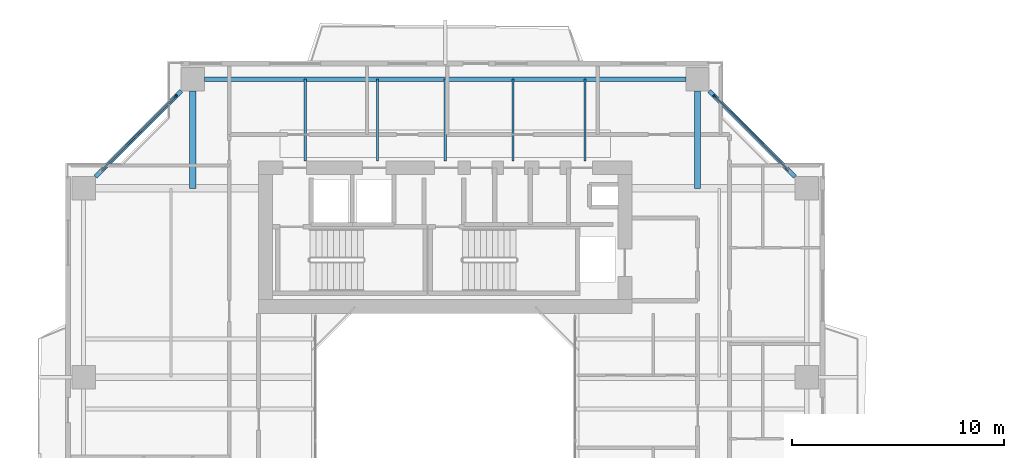
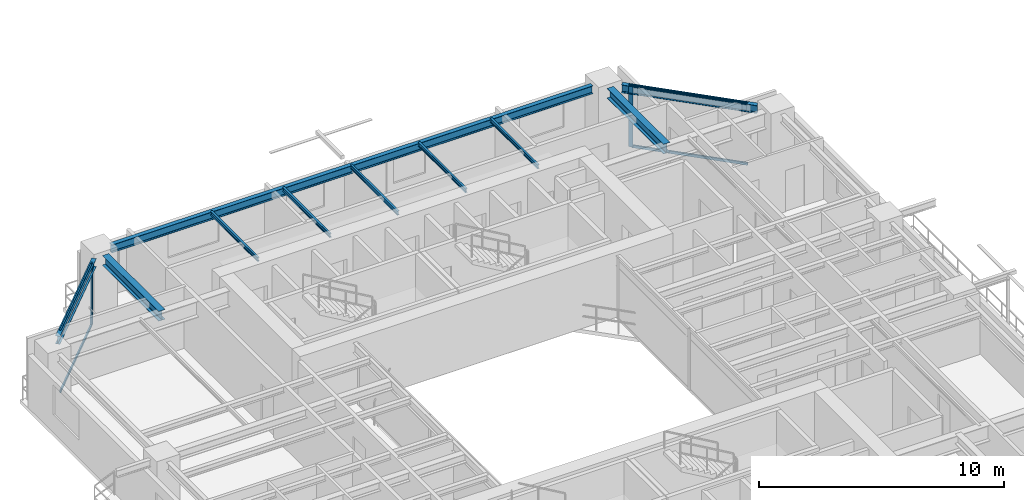
# One storey, part 9 of 23: 10 beams, 6 members, 2 elements without a shape of their own.
"""IFC4 building model written with IfcOpenShell, lengths in metres."""

import ifcopenshell
import ifcopenshell.guid

model = None  # the IFC model being written
_history = None  # IfcOwnerHistory: only IFC2X3 demands one
_inside = {}  # id of a spatial element -> (the spatial element, [elements in it])
_under = {}  # id of a project, library or spatial element -> (it, [spatial elements below it])
_declared = {}  # id of a project -> (the project, [libraries it declares])
_typed = {}  # id of a type object -> (the type object, [elements of that type])
_made_of = {}  # id of a material, layer set ... -> (it, [elements and type objects made of it])


def new_model(schema):
    """Start an empty IFC model of exactly this schema.

    Asked for "IFC4X3", IfcOpenShell would pick the latest addendum, in which some entities
    have other attributes; the version numbers below select the first issue.
    IFC2X3 requires an IfcOwnerHistory on every rooted entity: one is made here for all.
    """
    global model, _history
    if schema == "IFC4X3":
        model = ifcopenshell.file(schema_version=(4, 3, 0, 0))
    else:
        model = ifcopenshell.file(schema=schema)
    _inside.clear()
    _under.clear()
    _declared.clear()
    _typed.clear()
    _made_of.clear()
    _history = None
    if model.schema == "IFC2X3":
        org = make("IfcOrganization", Name="unknown")
        user = make(
            "IfcPersonAndOrganization",
            ThePerson=make("IfcPerson", FamilyName="unknown"),
            TheOrganization=org,
        )
        app = make(
            "IfcApplication",
            ApplicationDeveloper=org,
            Version="unknown",
            ApplicationFullName="unknown",
            ApplicationIdentifier="unknown",
        )
        _history = make(
            "IfcOwnerHistory",
            OwningUser=user,
            OwningApplication=app,
            ChangeAction="ADDED",
            CreationDate=0,
        )
    return model


def make(cls, **values):
    """One entity of the class cls with the attributes given. An attribute that is None is left unset."""
    return model.create_entity(
        cls, **{name: value for name, value in values.items() if value is not None}
    )


def rooted(cls, **values):
    """An entity with a GlobalId (a new one), such as an element, a storey or a relation."""
    return make(cls, GlobalId=ifcopenshell.guid.new(), OwnerHistory=_history, **values)


def si_unit(unit_type, name, prefix=None):
    """IfcSIUnit, for example si_unit("LENGTHUNIT", "METRE", prefix="MILLI")."""
    return make("IfcSIUnit", UnitType=unit_type, Prefix=prefix, Name=name)


def assignment(units):
    """IfcUnitAssignment: the units of a project."""
    return None if units is None else make("IfcUnitAssignment", Units=units)


def point(xyz):
    """IfcCartesianPoint."""
    return None if xyz is None else make("IfcCartesianPoint", Coordinates=xyz)


def direction(xyz):
    """IfcDirection."""
    return None if xyz is None else make("IfcDirection", DirectionRatios=xyz)


def frame(location, z_axis=None, x_axis=None):
    """IfcAxis2Placement3D, a coordinate frame: its origin and axes. An axis left out is left unset."""
    return make(
        "IfcAxis2Placement3D",
        Location=point(location),
        Axis=direction(z_axis),
        RefDirection=direction(x_axis),
    )


def frame_2d(location, x_axis=None):
    """IfcAxis2Placement2D, a coordinate frame in the plane: its origin and x axis."""
    return make(
        "IfcAxis2Placement2D", Location=point(location), RefDirection=direction(x_axis)
    )


def origin():
    """The frame at (0, 0, 0) with its axes left unset."""
    return frame((0.0, 0.0, 0.0))


def origin_2d():
    """The frame at (0, 0) in the plane with its x axis left unset."""
    return frame_2d((0.0, 0.0))


def place(relative_to, where):
    """IfcLocalPlacement: puts the frame where relative to a parent placement (None: the world)."""
    return make(
        "IfcLocalPlacement", PlacementRelTo=relative_to, RelativePlacement=where
    )


def context(
    kind, dimensions, precision=None, world=None, true_north=None, identifier=None
):
    """IfcGeometricRepresentationContext, for example the 3D "Model" context."""
    return make(
        "IfcGeometricRepresentationContext",
        ContextIdentifier=identifier,
        ContextType=kind,
        CoordinateSpaceDimension=dimensions,
        Precision=precision,
        WorldCoordinateSystem=world,
        TrueNorth=true_north,
    )


def subcontext(parent, identifier, kind, view, scale=None):
    """IfcGeometricRepresentationSubContext, for example "Body" below "Model"."""
    return make(
        "IfcGeometricRepresentationSubContext",
        ContextIdentifier=identifier,
        ContextType=kind,
        ParentContext=parent,
        TargetScale=scale,
        TargetView=view,
    )


def project(units=None, contexts=None):
    """IfcProject with its units and contexts."""
    return rooted(
        "IfcProject",
        Name="project",
        RepresentationContexts=contexts,
        UnitsInContext=assignment(units),
    )


def spatial(cls, under=None, at=None, **own):
    """A site, building, storey or space (cls), placed at a placement, below another one or the project."""
    s = rooted(cls, ObjectPlacement=at, **own)
    if under is not None:
        _under.setdefault(under.id(), (under, []))[1].append(s)
    return s


def profile(cls, at=None, kind="AREA", **sizes):
    """A parametric profile (cls). Its sizes go by their IFC names, for example OverallWidth=200.0."""
    return make(cls, ProfileType=kind, Position=at, **sizes)


def rectangle(**sizes):
    """IfcRectangleProfileDef."""
    return profile("IfcRectangleProfileDef", **sizes)


def i_section(**sizes):
    """IfcIShapeProfileDef."""
    return profile("IfcIShapeProfileDef", **sizes)


def extrude(swept, where, along, depth):
    """IfcExtrudedAreaSolid: the profile swept, set in the frame where, extruded along a direction by depth."""
    return make(
        "IfcExtrudedAreaSolid",
        SweptArea=swept,
        Position=where,
        ExtrudedDirection=direction(along),
        Depth=depth,
    )


def shape(context_of_items, identifier, shape_type, items):
    """IfcShapeRepresentation: the items that make up one representation, for example the "Body"."""
    return make(
        "IfcShapeRepresentation",
        ContextOfItems=context_of_items,
        RepresentationIdentifier=identifier,
        RepresentationType=shape_type,
        Items=items,
    )


def source(mapping_origin, context_of_items, identifier, shape_type, items):
    """IfcRepresentationMap: a shape defined once, which mapped items show again and again."""
    return make(
        "IfcRepresentationMap",
        MappingOrigin=mapping_origin,
        MappedRepresentation=shape(context_of_items, identifier, shape_type, items),
    )


def transform(
    local_origin,
    x_axis=None,
    y_axis=None,
    z_axis=None,
    scale=None,
    scale2=None,
    scale3=None,
    uniform=True,
):
    """IfcCartesianTransformationOperator3D, or its non-uniform kind. x_axis, y_axis, z_axis: its Axis1, 2, 3."""
    if uniform:
        return make(
            "IfcCartesianTransformationOperator3D",
            Axis1=direction(x_axis),
            Axis2=direction(y_axis),
            LocalOrigin=point(local_origin),
            Scale=scale,
            Axis3=direction(z_axis),
        )
    return make(
        "IfcCartesianTransformationOperator3DnonUniform",
        Axis1=direction(x_axis),
        Axis2=direction(y_axis),
        LocalOrigin=point(local_origin),
        Scale=scale,
        Axis3=direction(z_axis),
        Scale2=scale2,
        Scale3=scale3,
    )


def mapped(mapping_source, mapping_target):
    """IfcMappedItem: shows the shape of a source again, moved by a transform."""
    return make(
        "IfcMappedItem", MappingSource=mapping_source, MappingTarget=mapping_target
    )


def material(Name=None, Category=None):
    """IfcMaterial."""
    return make("IfcMaterial", Name=Name, Category=Category)


def layer(
    of_material, thickness, ventilated=None, Name=None, Category=None, Priority=None
):
    """IfcMaterialLayer: one layer of a wall or slab, of a material (None: an air gap)."""
    return make(
        "IfcMaterialLayer",
        Material=of_material,
        LayerThickness=thickness,
        IsVentilated=ventilated,
        Name=Name,
        Category=Category,
        Priority=Priority,
    )


def layer_set(layers, Name=None):
    """IfcMaterialLayerSet."""
    return make("IfcMaterialLayerSet", MaterialLayers=layers, LayerSetName=Name)


def material_profile(
    of_material, cross_section, Name=None, Category=None, Priority=None
):
    """IfcMaterialProfile: a cross section and its material."""
    return make(
        "IfcMaterialProfile",
        Name=Name,
        Material=of_material,
        Profile=cross_section,
        Priority=Priority,
        Category=Category,
    )


def profile_set(profiles, Name=None, composite=None):
    """IfcMaterialProfileSet."""
    return make(
        "IfcMaterialProfileSet",
        Name=Name,
        MaterialProfiles=profiles,
        CompositeProfile=composite,
    )


def made_of(thing, what):
    """Note that an element or type object is made of a material, layer set ...; save() writes the relation."""
    if what is not None:
        _made_of.setdefault(what.id(), (what, []))[1].append(thing)
    return thing


def type_object(cls, material=None, **own):
    """A type object (cls), such as IfcWallType, which elements share."""
    return made_of(rooted(cls, **own), material)


def element(
    cls,
    number,
    at=None,
    inside=None,
    cuts=None,
    type_object=None,
    material=None,
    context=None,
    identifier="Body",
    shape_type=None,
    held_by="IfcProductDefinitionShape",
    body=None,
    shapes=None,
    **own,
):
    """One element of the class cls, such as IfcWall. Its Tag is "e" and its number.

    at: its placement. inside: the storey or other place that contains it. cuts: it is an
    opening in that element (IfcRelVoidsElement). A single representation is given by context,
    identifier, shape_type and body (its items); several are given by shapes. held_by: the class
    of the entity that holds the representations. save() writes the other relations.
    """
    e = rooted(cls, Tag="e%d" % number, ObjectPlacement=at, **own)
    if body is not None:
        shapes = [shape(context, identifier, shape_type, body)]
    if shapes is not None:
        e.Representation = make(held_by, Representations=shapes)
    if inside is not None:
        _inside.setdefault(inside.id(), (inside, []))[1].append(e)
    if cuts is not None:
        rooted(
            "IfcRelVoidsElement", RelatingBuildingElement=cuts, RelatedOpeningElement=e
        )
    if type_object is not None:
        _typed.setdefault(type_object.id(), (type_object, []))[1].append(e)
    return made_of(e, material)


def aggregate(whole, parts):
    """IfcRelAggregates: a whole, such as a stair, and the parts it consists of."""
    return rooted("IfcRelAggregates", RelatingObject=whole, RelatedObjects=parts)


def save(model, path):
    """Write the relations noted so far, then the file.

    IfcRelAggregates (storeys below a building ...), IfcRelContainedInSpatialStructure (elements
    in a storey), IfcRelDefinesByType, IfcRelAssociatesMaterial and IfcRelDeclares: one each for
    every whole, place, type object, material and project.
    """
    for whole, parts in _under.values():
        aggregate(whole, parts)
    for where, things in _inside.values():
        rooted(
            "IfcRelContainedInSpatialStructure",
            RelatedElements=things,
            RelatingStructure=where,
        )
    for kind, things in _typed.values():
        rooted("IfcRelDefinesByType", RelatedObjects=things, RelatingType=kind)
    for what, things in _made_of.values():
        rooted("IfcRelAssociatesMaterial", RelatedObjects=things, RelatingMaterial=what)
    for by, libraries in _declared.values():
        rooted("IfcRelDeclares", RelatingContext=by, RelatedDefinitions=libraries)
    model.write(path)


model = new_model("IFC4")

# Units and contexts
model_context = context("Model", 3, precision=1e-05, world=origin(), true_north=direction((0.0, 1.0)))
body_context = subcontext(model_context, "Body", "Model", "MODEL_VIEW")
ifc_project = project(units=[si_unit("LENGTHUNIT", "METRE"), si_unit("AREAUNIT", "SQUARE_METRE"), si_unit("VOLUMEUNIT", "CUBIC_METRE"), si_unit("PLANEANGLEUNIT", "RADIAN"), si_unit("MASSUNIT", "GRAM", prefix="KILO"), si_unit("THERMODYNAMICTEMPERATUREUNIT", "KELVIN"), si_unit("POWERUNIT", "WATT")], contexts=[model_context])

# Site, building, storey
site_placement = place(None, origin())
site = spatial("IfcSite", under=ifc_project, at=site_placement, CompositionType="ELEMENT")
building_placement = place(site_placement, origin())
building = spatial("IfcBuilding", under=site, at=building_placement, Name="Qiaomeng Ring Towers", CompositionType="ELEMENT")
storey_placement = place(building_placement, frame((0.0, 0.0, 103.5)))
storey = spatial("IfcBuildingStorey", under=building, at=storey_placement, Name="L29", CompositionType="ELEMENT", Elevation=103.5)

# Beams
ifc_material_1 = material(Name="Steel Q355B", Category="steel")
ifc_material_profile_1 = material_profile(ifc_material_1, i_section(OverallWidth=0.199951171875, OverallDepth=0.39990234375, WebThickness=0.008056640625, FlangeThickness=0.012939453125, FilletRadius=0.01611328125, at=origin_2d()), Name="HN 400x200x8x13")
ifc_profile_set_1 = profile_set([ifc_material_profile_1], Name="Steel Q355B")
beam_type_1 = type_object("IfcBeamType", Name="STR-BM-HN400", PredefinedType="SPANDREL", material=ifc_profile_set_1)
shared_shape_1 = source(origin(), body_context, "Body", "SweptSolid", [
    extrude(i_section(OverallWidth=0.199951171875, OverallDepth=0.39990234375, WebThickness=0.008056640625, FlangeThickness=0.012939453125, FilletRadius=0.01611328125, at=origin_2d()), origin(), (0.0, 0.0, 1.0), 22.7021484375),
])
beam_placement = place(storey_placement, frame((30.35107421875, 40.050048828125, 2.8701171875), z_axis=(-1.0, 0.0, 0.0), x_axis=(0.0, -1.0, 0.0)))
element("IfcBeam", 1, at=beam_placement, inside=storey, type_object=beam_type_1, Name="L29 beam STR-SP-L29-T1-N2-N1", PredefinedType="SPANDREL", context=body_context, shape_type="MappedRepresentation", body=[
    mapped(shared_shape_1, transform((0.0, 0.0, 0.0), x_axis=(1.0, 0.0, 0.0), y_axis=(0.0, 1.0, 0.0), z_axis=(0.0, 0.0, 1.0), scale=1.0)),
])
shared_shape_2 = source(origin(), body_context, "Body", "SweptSolid", [
    extrude(i_section(OverallWidth=0.199951171875, OverallDepth=0.39990234375, WebThickness=0.008056640625, FlangeThickness=0.012939453125, FilletRadius=0.01611328125, at=origin_2d()), origin(), (0.0, 0.0, 1.0), 5.729736328125),
])
for number, where, z_axis, x_axis, name in (
    (2, (35.500732421875, 35.44921875, 2.8701171875), (-0.707106781187, 0.707106781187, 0.0), (-0.707106781187, -0.707106781187, 0.0), "L29 beam STR-SP-L29-T1-E4-N2"),
    (3, (6.55078125, 39.500732421875, 2.8701171875), (-0.707106781187, -0.707106781187, 0.0), (0.707106781187, -0.707106781187, 0.0), "L29 beam STR-SP-L29-T1-N1-W4"),
):
    element("IfcBeam", number, at=place(storey_placement, frame(where, z_axis=z_axis, x_axis=x_axis)), inside=storey, type_object=beam_type_1, Name=name, PredefinedType="SPANDREL", context=body_context, shape_type="MappedRepresentation", body=[
        mapped(shared_shape_2, transform((0.0, 0.0, 0.0), x_axis=(1.0, 0.0, 0.0), y_axis=(0.0, 1.0, 0.0), z_axis=(0.0, 0.0, 1.0), scale=1.0)),
    ])
ifc_material_profile_2 = material_profile(ifc_material_1, i_section(OverallWidth=0.300048828125, OverallDepth=0.488037109375, WebThickness=0.010986328125, FlangeThickness=0.01806640625, FilletRadius=0.02587890625, at=origin_2d()), Name="HM 488x300x11x18")
ifc_profile_set_2 = profile_set([ifc_material_profile_2], Name="Steel Q355B")
beam_type_2 = type_object("IfcBeamType", Name="STR-BM-HM488", PredefinedType="BEAM", material=ifc_profile_set_2)
shared_shape_3 = source(origin(), body_context, "Body", "SweptSolid", [
    extrude(i_section(OverallWidth=0.300048828125, OverallDepth=0.488037109375, WebThickness=0.010986328125, FlangeThickness=0.01806640625, FilletRadius=0.02587890625, at=origin_2d()), origin(), (0.0, 0.0, 1.0), 4.60107421875),
])
for number, where, z_axis, x_axis, name in (
    (4, (7.10009765625, 39.5009765625, 2.825927734375), (0.0, -1.0, 0.0), (1.0, 0.0, 0.0), "L29 beam STR-BM-L29-T1-RAD-N1"),
    (5, (30.89990234375, 39.5009765625, 2.825927734375), (0.0, -1.0, 0.0), (1.0, 0.0, 0.0), "L29 beam STR-BM-L29-T1-RAD-N2"),
):
    element("IfcBeam", number, at=place(storey_placement, frame(where, z_axis=z_axis, x_axis=x_axis)), inside=storey, type_object=beam_type_2, Name=name, PredefinedType="BEAM", context=body_context, shape_type="MappedRepresentation", body=[
        mapped(shared_shape_3, transform((0.0, 0.0, 0.0), x_axis=(1.0, 0.0, 0.0), y_axis=(0.0, 1.0, 0.0), z_axis=(0.0, 0.0, 1.0), scale=1.0)),
    ])
ifc_material_profile_3 = material_profile(ifc_material_1, i_section(OverallWidth=0.10009765625, OverallDepth=0.199951171875, WebThickness=0.005615234375, FlangeThickness=0.008056640625, FilletRadius=0.010986328125, at=origin_2d()), Name="HN 200x100x5.5x8")
ifc_profile_set_3 = profile_set([ifc_material_profile_3], Name="Steel Q355B")
beam_type_3 = type_object("IfcBeamType", Name="STR-BM-HN200", PredefinedType="JOIST", material=ifc_profile_set_3)
shared_shape_4 = source(origin(), body_context, "Body", "SweptSolid", [
    extrude(i_section(OverallWidth=0.10009765625, OverallDepth=0.199951171875, WebThickness=0.005615234375, FlangeThickness=0.008056640625, FilletRadius=0.010986328125, at=origin_2d()), origin(), (0.0, 0.0, 1.0), 3.85009765625),
])
for number, where, z_axis, x_axis, name in (
    (6, (12.39990234375, 36.199951171875, 2.969970703125), (0.0, 1.0, 0.0), (-1.0, 0.0, 0.0), "L29 beam STR-JST-L29-T1N-1"),
    (7, (15.800048828125, 36.199951171875, 2.969970703125), (0.0, 1.0, 0.0), (-1.0, 0.0, 0.0), "L29 beam STR-JST-L29-T1N-2"),
    (8, (19.0, 36.199951171875, 2.969970703125), (0.0, 1.0, 0.0), (-1.0, 0.0, 0.0), "L29 beam STR-JST-L29-T1N-3"),
    (9, (22.199951171875, 36.199951171875, 2.969970703125), (0.0, 1.0, 0.0), (-1.0, 0.0, 0.0), "L29 beam STR-JST-L29-T1N-4"),
    (10, (25.60009765625, 36.199951171875, 2.969970703125), (0.0, 1.0, 0.0), (-1.0, 0.0, 0.0), "L29 beam STR-JST-L29-T1N-5"),
):
    element("IfcBeam", number, at=place(storey_placement, frame(where, z_axis=z_axis, x_axis=x_axis)), inside=storey, type_object=beam_type_3, Name=name, PredefinedType="JOIST", context=body_context, shape_type="MappedRepresentation", body=[
        mapped(shared_shape_4, transform((0.0, 0.0, 0.0), x_axis=(1.0, 0.0, 0.0), y_axis=(0.0, 1.0, 0.0), z_axis=(0.0, 0.0, 1.0), scale=1.0)),
    ])

# Curtain wall, member
ifc_material_2 = material(Name="Fluorocarbon dark-grey aluminium", Category="aluminium")
ifc_layer = layer(ifc_material_2, 0.14990234375, Name="Fluorocarbon dark-grey aluminium")
ifc_layer_set = layer_set([ifc_layer], Name="Fluorocarbon dark-grey aluminium")
curtain_wall_type = type_object("IfcCurtainWallType", Name="ARC-CW-3", PredefinedType="NOTDEFINED", material=ifc_layer_set)
curtain_wall_1_placement = place(storey_placement, origin())
curtain_wall_1 = element("IfcCurtainWall", 11, at=curtain_wall_1_placement, inside=storey, type_object=curtain_wall_type, Name="L29 Curtain Wall CW3", PredefinedType="NOTDEFINED")
ifc_material_profile_4 = material_profile(ifc_material_2, rectangle(XDim=0.070068359375, YDim=0.179931640625, at=origin_2d()), Name="ALU MULL 70x180")
ifc_profile_set_4 = profile_set([ifc_material_profile_4], Name="Fluorocarbon dark-grey aluminium")
member_type_1 = type_object("IfcMemberType", Name="ARC-CWM-160", PredefinedType="MULLION", material=ifc_profile_set_4)
shared_shape_5 = source(origin(), body_context, "Body", "SweptSolid", [
    extrude(rectangle(XDim=0.070068359375, YDim=0.179931640625, at=origin_2d()), origin(), (0.0, 0.0, 1.0), 3.070068359375),
])
member_1_placement = place(storey_placement, frame((31.71484375, 39.2353515625, 0.0), z_axis=(0.0, 0.0, 1.0), x_axis=(-0.707106781187, -0.707106781187, 0.0)))
member_1 = element("IfcMember", 12, at=member_1_placement, type_object=member_type_1, Name="CW3 mullion 2", PredefinedType="MULLION", context=body_context, shape_type="MappedRepresentation", body=[
    mapped(shared_shape_5, transform((0.0, 0.0, 0.0), x_axis=(1.0, 0.0, 0.0), y_axis=(0.0, 1.0, 0.0), z_axis=(0.0, 0.0, 1.0), scale=1.0)),
])

curtain_wall_2_placement = place(storey_placement, origin())
curtain_wall_2 = element("IfcCurtainWall", 13, at=curtain_wall_2_placement, inside=storey, type_object=curtain_wall_type, Name="L29 Curtain Wall CW3", PredefinedType="NOTDEFINED")
member_2_placement = place(storey_placement, frame((6.28515625, 39.2353515625, 0.0), z_axis=(0.0, 0.0, 1.0), x_axis=(0.707106781187, -0.707106781187, 0.0)))
member_2 = element("IfcMember", 14, at=member_2_placement, type_object=member_type_1, Name="CW3 mullion 1", PredefinedType="MULLION", context=body_context, shape_type="MappedRepresentation", body=[
    mapped(shared_shape_5, transform((0.0, 0.0, 0.0), x_axis=(1.0, 0.0, 0.0), y_axis=(0.0, 1.0, 0.0), z_axis=(0.0, 0.0, 1.0), scale=1.0)),
])

# Member
ifc_material_profile_5 = material_profile(ifc_material_2, rectangle(XDim=0.06494140625, YDim=0.1298828125, at=origin_2d()), Name="ALU TRAN 65x130")
ifc_profile_set_5 = profile_set([ifc_material_profile_5], Name="Fluorocarbon dark-grey aluminium")
member_type_2 = type_object("IfcMemberType", Name="ARC-CWT-120", PredefinedType="USERDEFINED", material=ifc_profile_set_5)
shared_shape_6 = source(origin(), body_context, "Body", "SweptSolid", [
    extrude(rectangle(XDim=0.06494140625, YDim=0.1298828125, at=origin_2d()), origin(), (0.0, 0.0, 1.0), 4.90869140625),
])
member_3_placement = place(storey_placement, frame((35.21044921875, 35.739501953125, 0.032470703125), z_axis=(-0.707106781187, 0.707106781187, 0.0), x_axis=(-0.707106781187, -0.707106781187, 0.0)))
member_3 = element("IfcMember", 15, at=member_3_placement, type_object=member_type_2, Name="CW3 transom 1.1", ObjectType="TRANSOM", PredefinedType="USERDEFINED", context=body_context, shape_type="MappedRepresentation", body=[
    mapped(shared_shape_6, transform((0.0, 0.0, 0.0), x_axis=(1.0, 0.0, 0.0), y_axis=(0.0, 1.0, 0.0), z_axis=(0.0, 0.0, 1.0), scale=1.0)),
])

member_4_placement = place(storey_placement, frame((35.21044921875, 35.739501953125, 3.03759765625), z_axis=(-0.707106781187, 0.707106781187, 0.0), x_axis=(-0.707106781187, -0.707106781187, 0.0)))
member_4 = element("IfcMember", 16, at=member_4_placement, type_object=member_type_2, Name="CW3 transom 1.2", ObjectType="TRANSOM", PredefinedType="USERDEFINED", context=body_context, shape_type="MappedRepresentation", body=[
    mapped(shared_shape_6, transform((0.0, 0.0, 0.0), x_axis=(1.0, 0.0, 0.0), y_axis=(0.0, 1.0, 0.0), z_axis=(0.0, 0.0, 1.0), scale=1.0)),
])

aggregate(curtain_wall_1, [member_1, member_3, member_4])

member_5_placement = place(storey_placement, frame((6.260498046875, 39.21044921875, 0.032470703125), z_axis=(-0.707106781187, -0.707106781187, 0.0), x_axis=(0.707106781187, -0.707106781187, 0.0)))
member_5 = element("IfcMember", 17, at=member_5_placement, type_object=member_type_2, Name="CW3 transom 1.1", ObjectType="TRANSOM", PredefinedType="USERDEFINED", context=body_context, shape_type="MappedRepresentation", body=[
    mapped(shared_shape_6, transform((0.0, 0.0, 0.0), x_axis=(1.0, 0.0, 0.0), y_axis=(0.0, 1.0, 0.0), z_axis=(0.0, 0.0, 1.0), scale=1.0)),
])

member_6_placement = place(storey_placement, frame((6.260498046875, 39.21044921875, 3.03759765625), z_axis=(-0.707106781187, -0.707106781187, 0.0), x_axis=(0.707106781187, -0.707106781187, 0.0)))
member_6 = element("IfcMember", 18, at=member_6_placement, type_object=member_type_2, Name="CW3 transom 1.2", ObjectType="TRANSOM", PredefinedType="USERDEFINED", context=body_context, shape_type="MappedRepresentation", body=[
    mapped(shared_shape_6, transform((0.0, 0.0, 0.0), x_axis=(1.0, 0.0, 0.0), y_axis=(0.0, 1.0, 0.0), z_axis=(0.0, 0.0, 1.0), scale=1.0)),
])

aggregate(curtain_wall_2, [member_2, member_5, member_6])

save(model, "model.ifc")
